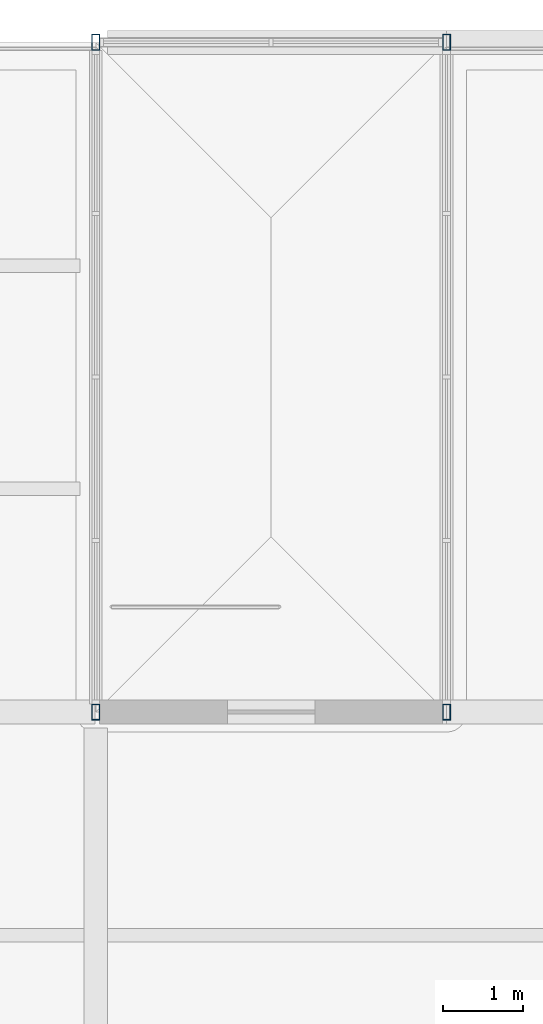
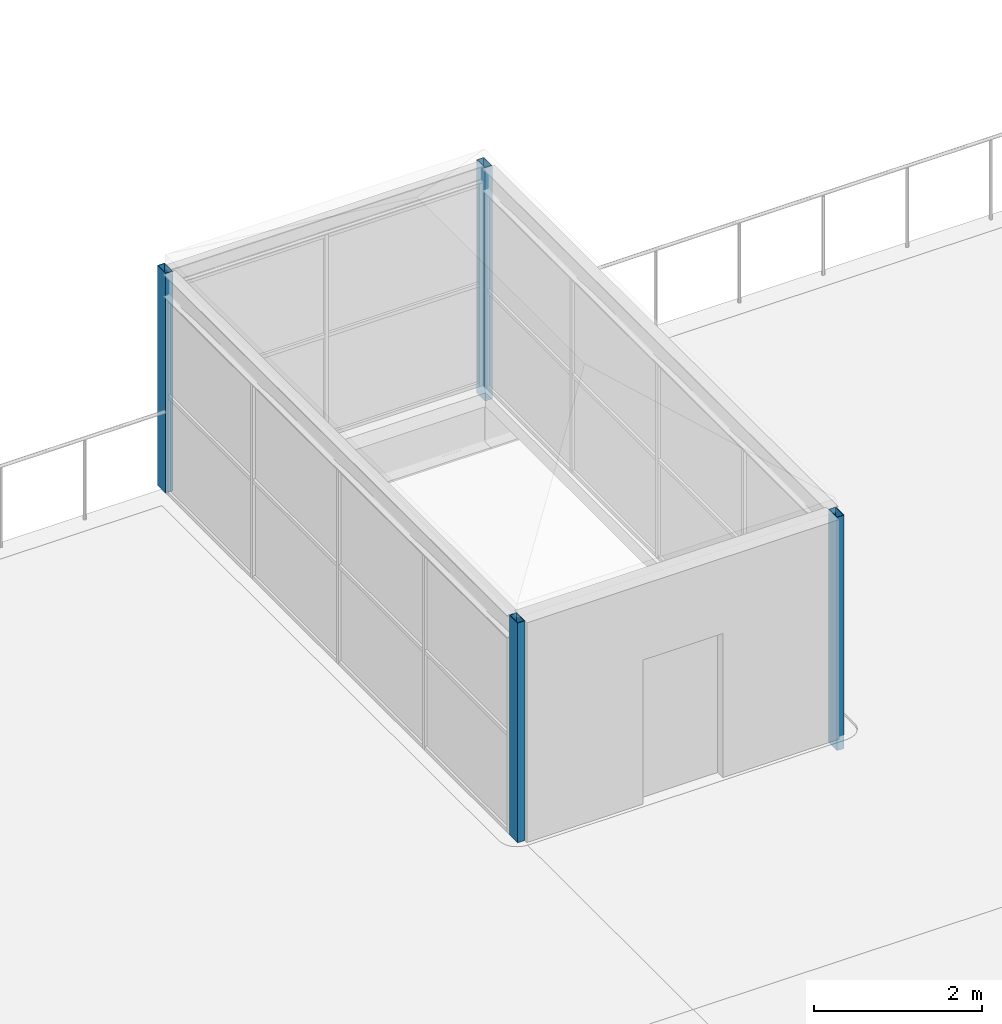
# One storey, part 4 of 58: 4 columns.
"""IFC4 building model written with IfcOpenShell, lengths in metres."""

import ifcopenshell
import ifcopenshell.guid

model = None  # the IFC model being written
_history = None  # IfcOwnerHistory: only IFC2X3 demands one
_inside = {}  # id of a spatial element -> (the spatial element, [elements in it])
_under = {}  # id of a project, library or spatial element -> (it, [spatial elements below it])
_declared = {}  # id of a project -> (the project, [libraries it declares])
_typed = {}  # id of a type object -> (the type object, [elements of that type])
_made_of = {}  # id of a material, layer set ... -> (it, [elements and type objects made of it])


def new_model(schema):
    """Start an empty IFC model of exactly this schema.

    Asked for "IFC4X3", IfcOpenShell would pick the latest addendum, in which some entities
    have other attributes; the version numbers below select the first issue.
    IFC2X3 requires an IfcOwnerHistory on every rooted entity: one is made here for all.
    """
    global model, _history
    if schema == "IFC4X3":
        model = ifcopenshell.file(schema_version=(4, 3, 0, 0))
    else:
        model = ifcopenshell.file(schema=schema)
    _inside.clear()
    _under.clear()
    _declared.clear()
    _typed.clear()
    _made_of.clear()
    _history = None
    if model.schema == "IFC2X3":
        org = make("IfcOrganization", Name="unknown")
        user = make(
            "IfcPersonAndOrganization",
            ThePerson=make("IfcPerson", FamilyName="unknown"),
            TheOrganization=org,
        )
        app = make(
            "IfcApplication",
            ApplicationDeveloper=org,
            Version="unknown",
            ApplicationFullName="unknown",
            ApplicationIdentifier="unknown",
        )
        _history = make(
            "IfcOwnerHistory",
            OwningUser=user,
            OwningApplication=app,
            ChangeAction="ADDED",
            CreationDate=0,
        )
    return model


def make(cls, **values):
    """One entity of the class cls with the attributes given. An attribute that is None is left unset."""
    return model.create_entity(
        cls, **{name: value for name, value in values.items() if value is not None}
    )


def rooted(cls, **values):
    """An entity with a GlobalId (a new one), such as an element, a storey or a relation."""
    return make(cls, GlobalId=ifcopenshell.guid.new(), OwnerHistory=_history, **values)


def si_unit(unit_type, name, prefix=None):
    """IfcSIUnit, for example si_unit("LENGTHUNIT", "METRE", prefix="MILLI")."""
    return make("IfcSIUnit", UnitType=unit_type, Prefix=prefix, Name=name)


def assignment(units):
    """IfcUnitAssignment: the units of a project."""
    return None if units is None else make("IfcUnitAssignment", Units=units)


def point(xyz):
    """IfcCartesianPoint."""
    return None if xyz is None else make("IfcCartesianPoint", Coordinates=xyz)


def direction(xyz):
    """IfcDirection."""
    return None if xyz is None else make("IfcDirection", DirectionRatios=xyz)


def frame(location, z_axis=None, x_axis=None):
    """IfcAxis2Placement3D, a coordinate frame: its origin and axes. An axis left out is left unset."""
    return make(
        "IfcAxis2Placement3D",
        Location=point(location),
        Axis=direction(z_axis),
        RefDirection=direction(x_axis),
    )


def frame_2d(location, x_axis=None):
    """IfcAxis2Placement2D, a coordinate frame in the plane: its origin and x axis."""
    return make(
        "IfcAxis2Placement2D", Location=point(location), RefDirection=direction(x_axis)
    )


def origin():
    """The frame at (0, 0, 0) with its axes left unset."""
    return frame((0.0, 0.0, 0.0))


def origin_2d():
    """The frame at (0, 0) in the plane with its x axis left unset."""
    return frame_2d((0.0, 0.0))


def place(relative_to, where):
    """IfcLocalPlacement: puts the frame where relative to a parent placement (None: the world)."""
    return make(
        "IfcLocalPlacement", PlacementRelTo=relative_to, RelativePlacement=where
    )


def context(
    kind, dimensions, precision=None, world=None, true_north=None, identifier=None
):
    """IfcGeometricRepresentationContext, for example the 3D "Model" context."""
    return make(
        "IfcGeometricRepresentationContext",
        ContextIdentifier=identifier,
        ContextType=kind,
        CoordinateSpaceDimension=dimensions,
        Precision=precision,
        WorldCoordinateSystem=world,
        TrueNorth=true_north,
    )


def subcontext(parent, identifier, kind, view, scale=None):
    """IfcGeometricRepresentationSubContext, for example "Body" below "Model"."""
    return make(
        "IfcGeometricRepresentationSubContext",
        ContextIdentifier=identifier,
        ContextType=kind,
        ParentContext=parent,
        TargetScale=scale,
        TargetView=view,
    )


def project(units=None, contexts=None):
    """IfcProject with its units and contexts."""
    return rooted(
        "IfcProject",
        Name="project",
        RepresentationContexts=contexts,
        UnitsInContext=assignment(units),
    )


def spatial(cls, under=None, at=None, **own):
    """A site, building, storey or space (cls), placed at a placement, below another one or the project."""
    s = rooted(cls, ObjectPlacement=at, **own)
    if under is not None:
        _under.setdefault(under.id(), (under, []))[1].append(s)
    return s


def profile(cls, at=None, kind="AREA", **sizes):
    """A parametric profile (cls). Its sizes go by their IFC names, for example OverallWidth=200.0."""
    return make(cls, ProfileType=kind, Position=at, **sizes)


def hollow_rectangle(**sizes):
    """IfcRectangleHollowProfileDef."""
    return profile("IfcRectangleHollowProfileDef", **sizes)


def extrude(swept, where, along, depth):
    """IfcExtrudedAreaSolid: the profile swept, set in the frame where, extruded along a direction by depth."""
    return make(
        "IfcExtrudedAreaSolid",
        SweptArea=swept,
        Position=where,
        ExtrudedDirection=direction(along),
        Depth=depth,
    )


def shape(context_of_items, identifier, shape_type, items):
    """IfcShapeRepresentation: the items that make up one representation, for example the "Body"."""
    return make(
        "IfcShapeRepresentation",
        ContextOfItems=context_of_items,
        RepresentationIdentifier=identifier,
        RepresentationType=shape_type,
        Items=items,
    )


def material(Name=None, Category=None):
    """IfcMaterial."""
    return make("IfcMaterial", Name=Name, Category=Category)


def material_profile(
    of_material, cross_section, Name=None, Category=None, Priority=None
):
    """IfcMaterialProfile: a cross section and its material."""
    return make(
        "IfcMaterialProfile",
        Name=Name,
        Material=of_material,
        Profile=cross_section,
        Priority=Priority,
        Category=Category,
    )


def profile_set(profiles, Name=None, composite=None):
    """IfcMaterialProfileSet."""
    return make(
        "IfcMaterialProfileSet",
        Name=Name,
        MaterialProfiles=profiles,
        CompositeProfile=composite,
    )


def made_of(thing, what):
    """Note that an element or type object is made of a material, layer set ...; save() writes the relation."""
    if what is not None:
        _made_of.setdefault(what.id(), (what, []))[1].append(thing)
    return thing


def type_object(cls, material=None, **own):
    """A type object (cls), such as IfcWallType, which elements share."""
    return made_of(rooted(cls, **own), material)


def element(
    cls,
    number,
    at=None,
    inside=None,
    cuts=None,
    type_object=None,
    material=None,
    context=None,
    identifier="Body",
    shape_type=None,
    held_by="IfcProductDefinitionShape",
    body=None,
    shapes=None,
    **own,
):
    """One element of the class cls, such as IfcWall. Its Tag is "e" and its number.

    at: its placement. inside: the storey or other place that contains it. cuts: it is an
    opening in that element (IfcRelVoidsElement). A single representation is given by context,
    identifier, shape_type and body (its items); several are given by shapes. held_by: the class
    of the entity that holds the representations. save() writes the other relations.
    """
    e = rooted(cls, Tag="e%d" % number, ObjectPlacement=at, **own)
    if body is not None:
        shapes = [shape(context, identifier, shape_type, body)]
    if shapes is not None:
        e.Representation = make(held_by, Representations=shapes)
    if inside is not None:
        _inside.setdefault(inside.id(), (inside, []))[1].append(e)
    if cuts is not None:
        rooted(
            "IfcRelVoidsElement", RelatingBuildingElement=cuts, RelatedOpeningElement=e
        )
    if type_object is not None:
        _typed.setdefault(type_object.id(), (type_object, []))[1].append(e)
    return made_of(e, material)


def aggregate(whole, parts):
    """IfcRelAggregates: a whole, such as a stair, and the parts it consists of."""
    return rooted("IfcRelAggregates", RelatingObject=whole, RelatedObjects=parts)


def save(model, path):
    """Write the relations noted so far, then the file.

    IfcRelAggregates (storeys below a building ...), IfcRelContainedInSpatialStructure (elements
    in a storey), IfcRelDefinesByType, IfcRelAssociatesMaterial and IfcRelDeclares: one each for
    every whole, place, type object, material and project.
    """
    for whole, parts in _under.values():
        aggregate(whole, parts)
    for where, things in _inside.values():
        rooted(
            "IfcRelContainedInSpatialStructure",
            RelatedElements=things,
            RelatingStructure=where,
        )
    for kind, things in _typed.values():
        rooted("IfcRelDefinesByType", RelatedObjects=things, RelatingType=kind)
    for what, things in _made_of.values():
        rooted("IfcRelAssociatesMaterial", RelatedObjects=things, RelatingMaterial=what)
    for by, libraries in _declared.values():
        rooted("IfcRelDeclares", RelatingContext=by, RelatedDefinitions=libraries)
    model.write(path)


model = new_model("IFC4")

# Units and contexts
model_context = context("Model", 3, precision=1e-05, world=origin(), true_north=direction((0.0, 1.0)))
body_context = subcontext(model_context, "Body", "Model", "MODEL_VIEW")
ifc_project = project(units=[si_unit("LENGTHUNIT", "METRE"), si_unit("AREAUNIT", "SQUARE_METRE"), si_unit("VOLUMEUNIT", "CUBIC_METRE"), si_unit("PLANEANGLEUNIT", "RADIAN"), si_unit("MASSUNIT", "GRAM", prefix="KILO")], contexts=[model_context])

# Site, building, storey
site_placement = place(None, origin())
site = spatial("IfcSite", under=ifc_project, at=site_placement, CompositionType="ELEMENT")
building_placement = place(site_placement, origin())
building = spatial("IfcBuilding", under=site, at=building_placement, Name="Galleria Vessillo Department Store", CompositionType="ELEMENT")
storey_placement = place(building_placement, frame((0.0, 0.0, 31.199951171875)))
storey = spatial("IfcBuildingStorey", under=building, at=storey_placement, Name="L06", CompositionType="ELEMENT", Elevation=31.199951171875)

# Columns
ifc_material = material(Name="Steel S355 J2", Category="steel")
ifc_material_profile = material_profile(ifc_material, hollow_rectangle(XDim=0.10009765625, YDim=0.199951171875, WallThickness=0.008056640625, at=origin_2d()), Name="RHS 200x100x8")
ifc_profile_set = profile_set([ifc_material_profile], Name="Steel S355 J2")
column_type = type_object("IfcColumnType", Name="Steel post RHS 200x100x8", PredefinedType="COLUMN", material=ifc_profile_set)
column_1_placement = place(storey_placement, frame((33.60009765625, 63.0, 0.0), z_axis=(0.0, 0.0, 1.0), x_axis=(1.0, 0.0, 0.0)))
element("IfcColumn", 1, at=column_1_placement, inside=storey, type_object=column_type, Name="S-PP-ST4-1", PredefinedType="COLUMN", context=body_context, shape_type="SweptSolid", body=[
    extrude(hollow_rectangle(XDim=0.10009765625, YDim=0.199951171875, WallThickness=0.008056640625, at=origin_2d()), origin(), (0.0, 0.0, 1.0), 3.2001953125),
])
column_2_placement = place(storey_placement, frame((38.0, 63.0, -0.199951171875), z_axis=(0.0, 0.0, 1.0), x_axis=(1.0, 0.0, 0.0)))
element("IfcColumn", 2, at=column_2_placement, inside=storey, type_object=column_type, Name="S-PP-ST4-2", PredefinedType="COLUMN", context=body_context, shape_type="SweptSolid", body=[
    extrude(hollow_rectangle(XDim=0.10009765625, YDim=0.199951171875, WallThickness=0.008056640625, at=origin_2d()), origin(), (0.0, 0.0, 1.0), 3.400146484375),
])
column_3_placement = place(storey_placement, frame((33.60009765625, 54.60009765625, 0.0), z_axis=(0.0, 0.0, 1.0), x_axis=(1.0, 0.0, 0.0)))
element("IfcColumn", 3, at=column_3_placement, inside=storey, type_object=column_type, Name="S-PP-ST4-3", PredefinedType="COLUMN", context=body_context, shape_type="SweptSolid", body=[
    extrude(hollow_rectangle(XDim=0.10009765625, YDim=0.199951171875, WallThickness=0.008056640625, at=origin_2d()), origin(), (0.0, 0.0, 1.0), 3.2001953125),
])
column_4_placement = place(storey_placement, frame((38.0, 54.60009765625, -0.199951171875), z_axis=(0.0, 0.0, 1.0), x_axis=(1.0, 0.0, 0.0)))
element("IfcColumn", 4, at=column_4_placement, inside=storey, type_object=column_type, Name="S-PP-ST4-4", PredefinedType="COLUMN", context=body_context, shape_type="SweptSolid", body=[
    extrude(hollow_rectangle(XDim=0.10009765625, YDim=0.199951171875, WallThickness=0.008056640625, at=origin_2d()), origin(), (0.0, 0.0, 1.0), 3.400146484375),
])

save(model, "model.ifc")
